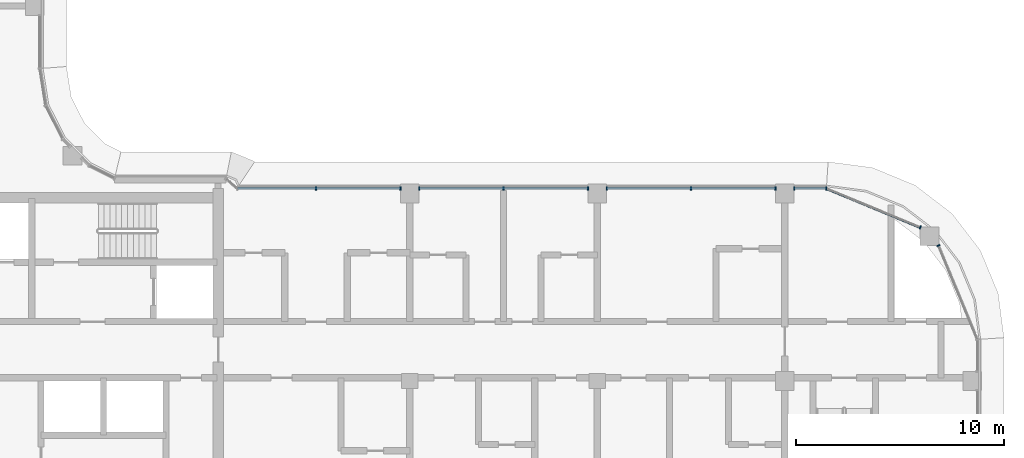
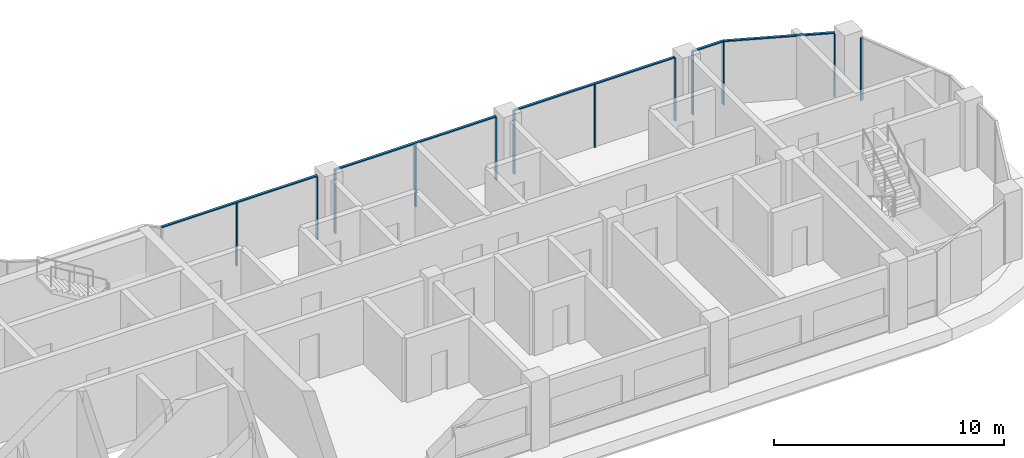
# One storey, part 4 of 20: 17 members, 6 elements without a shape of their own.
"""IFC4 building model written with IfcOpenShell, lengths in metres."""

import ifcopenshell
import ifcopenshell.guid

model = None  # the IFC model being written
_history = None  # IfcOwnerHistory: only IFC2X3 demands one
_inside = {}  # id of a spatial element -> (the spatial element, [elements in it])
_under = {}  # id of a project, library or spatial element -> (it, [spatial elements below it])
_declared = {}  # id of a project -> (the project, [libraries it declares])
_typed = {}  # id of a type object -> (the type object, [elements of that type])
_made_of = {}  # id of a material, layer set ... -> (it, [elements and type objects made of it])


def new_model(schema):
    """Start an empty IFC model of exactly this schema.

    Asked for "IFC4X3", IfcOpenShell would pick the latest addendum, in which some entities
    have other attributes; the version numbers below select the first issue.
    IFC2X3 requires an IfcOwnerHistory on every rooted entity: one is made here for all.
    """
    global model, _history
    if schema == "IFC4X3":
        model = ifcopenshell.file(schema_version=(4, 3, 0, 0))
    else:
        model = ifcopenshell.file(schema=schema)
    _inside.clear()
    _under.clear()
    _declared.clear()
    _typed.clear()
    _made_of.clear()
    _history = None
    if model.schema == "IFC2X3":
        org = make("IfcOrganization", Name="unknown")
        user = make(
            "IfcPersonAndOrganization",
            ThePerson=make("IfcPerson", FamilyName="unknown"),
            TheOrganization=org,
        )
        app = make(
            "IfcApplication",
            ApplicationDeveloper=org,
            Version="unknown",
            ApplicationFullName="unknown",
            ApplicationIdentifier="unknown",
        )
        _history = make(
            "IfcOwnerHistory",
            OwningUser=user,
            OwningApplication=app,
            ChangeAction="ADDED",
            CreationDate=0,
        )
    return model


def make(cls, **values):
    """One entity of the class cls with the attributes given. An attribute that is None is left unset."""
    return model.create_entity(
        cls, **{name: value for name, value in values.items() if value is not None}
    )


def rooted(cls, **values):
    """An entity with a GlobalId (a new one), such as an element, a storey or a relation."""
    return make(cls, GlobalId=ifcopenshell.guid.new(), OwnerHistory=_history, **values)


def si_unit(unit_type, name, prefix=None):
    """IfcSIUnit, for example si_unit("LENGTHUNIT", "METRE", prefix="MILLI")."""
    return make("IfcSIUnit", UnitType=unit_type, Prefix=prefix, Name=name)


def assignment(units):
    """IfcUnitAssignment: the units of a project."""
    return None if units is None else make("IfcUnitAssignment", Units=units)


def point(xyz):
    """IfcCartesianPoint."""
    return None if xyz is None else make("IfcCartesianPoint", Coordinates=xyz)


def direction(xyz):
    """IfcDirection."""
    return None if xyz is None else make("IfcDirection", DirectionRatios=xyz)


def frame(location, z_axis=None, x_axis=None):
    """IfcAxis2Placement3D, a coordinate frame: its origin and axes. An axis left out is left unset."""
    return make(
        "IfcAxis2Placement3D",
        Location=point(location),
        Axis=direction(z_axis),
        RefDirection=direction(x_axis),
    )


def frame_2d(location, x_axis=None):
    """IfcAxis2Placement2D, a coordinate frame in the plane: its origin and x axis."""
    return make(
        "IfcAxis2Placement2D", Location=point(location), RefDirection=direction(x_axis)
    )


def origin():
    """The frame at (0, 0, 0) with its axes left unset."""
    return frame((0.0, 0.0, 0.0))


def origin_2d():
    """The frame at (0, 0) in the plane with its x axis left unset."""
    return frame_2d((0.0, 0.0))


def place(relative_to, where):
    """IfcLocalPlacement: puts the frame where relative to a parent placement (None: the world)."""
    return make(
        "IfcLocalPlacement", PlacementRelTo=relative_to, RelativePlacement=where
    )


def context(
    kind, dimensions, precision=None, world=None, true_north=None, identifier=None
):
    """IfcGeometricRepresentationContext, for example the 3D "Model" context."""
    return make(
        "IfcGeometricRepresentationContext",
        ContextIdentifier=identifier,
        ContextType=kind,
        CoordinateSpaceDimension=dimensions,
        Precision=precision,
        WorldCoordinateSystem=world,
        TrueNorth=true_north,
    )


def subcontext(parent, identifier, kind, view, scale=None):
    """IfcGeometricRepresentationSubContext, for example "Body" below "Model"."""
    return make(
        "IfcGeometricRepresentationSubContext",
        ContextIdentifier=identifier,
        ContextType=kind,
        ParentContext=parent,
        TargetScale=scale,
        TargetView=view,
    )


def project(units=None, contexts=None):
    """IfcProject with its units and contexts."""
    return rooted(
        "IfcProject",
        Name="project",
        RepresentationContexts=contexts,
        UnitsInContext=assignment(units),
    )


def spatial(cls, under=None, at=None, **own):
    """A site, building, storey or space (cls), placed at a placement, below another one or the project."""
    s = rooted(cls, ObjectPlacement=at, **own)
    if under is not None:
        _under.setdefault(under.id(), (under, []))[1].append(s)
    return s


def profile(cls, at=None, kind="AREA", **sizes):
    """A parametric profile (cls). Its sizes go by their IFC names, for example OverallWidth=200.0."""
    return make(cls, ProfileType=kind, Position=at, **sizes)


def rectangle(**sizes):
    """IfcRectangleProfileDef."""
    return profile("IfcRectangleProfileDef", **sizes)


def extrude(swept, where, along, depth):
    """IfcExtrudedAreaSolid: the profile swept, set in the frame where, extruded along a direction by depth."""
    return make(
        "IfcExtrudedAreaSolid",
        SweptArea=swept,
        Position=where,
        ExtrudedDirection=direction(along),
        Depth=depth,
    )


def shape(context_of_items, identifier, shape_type, items):
    """IfcShapeRepresentation: the items that make up one representation, for example the "Body"."""
    return make(
        "IfcShapeRepresentation",
        ContextOfItems=context_of_items,
        RepresentationIdentifier=identifier,
        RepresentationType=shape_type,
        Items=items,
    )


def material(Name=None, Category=None):
    """IfcMaterial."""
    return make("IfcMaterial", Name=Name, Category=Category)


def material_profile(
    of_material, cross_section, Name=None, Category=None, Priority=None
):
    """IfcMaterialProfile: a cross section and its material."""
    return make(
        "IfcMaterialProfile",
        Name=Name,
        Material=of_material,
        Profile=cross_section,
        Priority=Priority,
        Category=Category,
    )


def profile_set(profiles, Name=None, composite=None):
    """IfcMaterialProfileSet."""
    return make(
        "IfcMaterialProfileSet",
        Name=Name,
        MaterialProfiles=profiles,
        CompositeProfile=composite,
    )


def made_of(thing, what):
    """Note that an element or type object is made of a material, layer set ...; save() writes the relation."""
    if what is not None:
        _made_of.setdefault(what.id(), (what, []))[1].append(thing)
    return thing


def type_object(cls, material=None, **own):
    """A type object (cls), such as IfcWallType, which elements share."""
    return made_of(rooted(cls, **own), material)


def element(
    cls,
    number,
    at=None,
    inside=None,
    cuts=None,
    type_object=None,
    material=None,
    context=None,
    identifier="Body",
    shape_type=None,
    held_by="IfcProductDefinitionShape",
    body=None,
    shapes=None,
    **own,
):
    """One element of the class cls, such as IfcWall. Its Tag is "e" and its number.

    at: its placement. inside: the storey or other place that contains it. cuts: it is an
    opening in that element (IfcRelVoidsElement). A single representation is given by context,
    identifier, shape_type and body (its items); several are given by shapes. held_by: the class
    of the entity that holds the representations. save() writes the other relations.
    """
    e = rooted(cls, Tag="e%d" % number, ObjectPlacement=at, **own)
    if body is not None:
        shapes = [shape(context, identifier, shape_type, body)]
    if shapes is not None:
        e.Representation = make(held_by, Representations=shapes)
    if inside is not None:
        _inside.setdefault(inside.id(), (inside, []))[1].append(e)
    if cuts is not None:
        rooted(
            "IfcRelVoidsElement", RelatingBuildingElement=cuts, RelatedOpeningElement=e
        )
    if type_object is not None:
        _typed.setdefault(type_object.id(), (type_object, []))[1].append(e)
    return made_of(e, material)


def aggregate(whole, parts):
    """IfcRelAggregates: a whole, such as a stair, and the parts it consists of."""
    return rooted("IfcRelAggregates", RelatingObject=whole, RelatedObjects=parts)


def save(model, path):
    """Write the relations noted so far, then the file.

    IfcRelAggregates (storeys below a building ...), IfcRelContainedInSpatialStructure (elements
    in a storey), IfcRelDefinesByType, IfcRelAssociatesMaterial and IfcRelDeclares: one each for
    every whole, place, type object, material and project.
    """
    for whole, parts in _under.values():
        aggregate(whole, parts)
    for where, things in _inside.values():
        rooted(
            "IfcRelContainedInSpatialStructure",
            RelatedElements=things,
            RelatingStructure=where,
        )
    for kind, things in _typed.values():
        rooted("IfcRelDefinesByType", RelatedObjects=things, RelatingType=kind)
    for what, things in _made_of.values():
        rooted("IfcRelAssociatesMaterial", RelatedObjects=things, RelatingMaterial=what)
    for by, libraries in _declared.values():
        rooted("IfcRelDeclares", RelatingContext=by, RelatedDefinitions=libraries)
    model.write(path)


model = new_model("IFC4")

# Units and contexts
model_context = context("Model", 3, precision=1e-05, world=origin(), true_north=direction((0.0, 1.0)))
body_context = subcontext(model_context, "Body", "Model", "MODEL_VIEW")
ifc_project = project(units=[si_unit("LENGTHUNIT", "METRE"), si_unit("AREAUNIT", "SQUARE_METRE"), si_unit("VOLUMEUNIT", "CUBIC_METRE"), si_unit("PLANEANGLEUNIT", "RADIAN"), si_unit("MASSUNIT", "GRAM", prefix="KILO")], contexts=[model_context])

# Site, building, storey
site_placement = place(None, origin())
site = spatial("IfcSite", under=ifc_project, at=site_placement, CompositionType="ELEMENT")
building_placement = place(site_placement, origin())
building = spatial("IfcBuilding", under=site, at=building_placement, Name="Ogive Portal Towers", CompositionType="ELEMENT")
storey_placement = place(building_placement, frame((0.0, 0.0, 214.300048828125)))
storey = spatial("IfcBuildingStorey", under=building, at=storey_placement, Name="L53", CompositionType="ELEMENT", Elevation=214.300048828125)

# Curtain wall, members
ifc_material_1 = material(Name="Glass, clear low-iron insulated glazing", Category="glass")
curtain_wall_type = type_object("IfcCurtainWallType", Name="CW FRONT RIBBON 4500", PredefinedType="NOTDEFINED", material=ifc_material_1)
curtain_wall_1_placement = place(storey_placement, origin())
curtain_wall_1 = element("IfcCurtainWall", 1, at=curtain_wall_1_placement, inside=storey, type_object=curtain_wall_type, Name="A:L53:f26:cw0~0", PredefinedType="NOTDEFINED")
ifc_material_2 = material(Name="Aluminium 6063 anodised", Category="aluminium")
ifc_material_profile_1 = material_profile(ifc_material_2, rectangle(XDim=0.159912109375, YDim=0.06005859375, at=origin_2d()), Name="AL 60x160")
ifc_profile_set_1 = profile_set([ifc_material_profile_1], Name="Aluminium 6063 anodised")
member_type_1 = type_object("IfcMemberType", Name="CW MULLION 60x160", PredefinedType="MULLION", material=ifc_profile_set_1)
member_1_placement = place(storey_placement, frame((87.484130859375, 39.739990234375, 0.0), z_axis=(0.0, 0.0, 1.0), x_axis=(0.0, -1.0, 0.0)))
member_1 = element("IfcMember", 2, at=member_1_placement, type_object=member_type_1, Name="mullion", PredefinedType="MULLION", context=body_context, shape_type="SweptSolid", body=[
    extrude(rectangle(XDim=0.159912109375, YDim=0.06005859375, at=origin_2d()), origin(), (0.0, 0.0, 1.0), 3.33984375),
])
member_2_placement = place(storey_placement, frame((85.949951171875, 39.739990234375, 0.0), z_axis=(0.0, 0.0, 1.0), x_axis=(0.0, -1.0, 0.0)))
member_2 = element("IfcMember", 3, at=member_2_placement, type_object=member_type_1, Name="mullion", PredefinedType="MULLION", context=body_context, shape_type="SweptSolid", body=[
    extrude(rectangle(XDim=0.159912109375, YDim=0.06005859375, at=origin_2d()), origin(), (0.0, 0.0, 1.0), 3.33984375),
])

curtain_wall_2_placement = place(storey_placement, origin())
curtain_wall_2 = element("IfcCurtainWall", 4, at=curtain_wall_2_placement, inside=storey, type_object=curtain_wall_type, Name="A:L53:f26:cw0~1", PredefinedType="NOTDEFINED")
member_3_placement = place(storey_placement, frame((85.050048828125, 39.739990234375, 0.0), z_axis=(0.0, 0.0, 1.0), x_axis=(0.0, -1.0, 0.0)))
member_3 = element("IfcMember", 5, at=member_3_placement, type_object=member_type_1, Name="mullion", PredefinedType="MULLION", context=body_context, shape_type="SweptSolid", body=[
    extrude(rectangle(XDim=0.159912109375, YDim=0.06005859375, at=origin_2d()), origin(), (0.0, 0.0, 1.0), 3.33984375),
])
member_4_placement = place(storey_placement, frame((81.0, 39.739990234375, 0.0), z_axis=(0.0, 0.0, 1.0), x_axis=(0.0, -1.0, 0.0)))
member_4 = element("IfcMember", 6, at=member_4_placement, type_object=member_type_1, Name="mullion", PredefinedType="MULLION", context=body_context, shape_type="SweptSolid", body=[
    extrude(rectangle(XDim=0.159912109375, YDim=0.06005859375, at=origin_2d()), origin(), (0.0, 0.0, 1.0), 3.33984375),
])
member_5_placement = place(storey_placement, frame((76.949951171875, 39.739990234375, 0.0), z_axis=(0.0, 0.0, 1.0), x_axis=(0.0, -1.0, 0.0)))
member_5 = element("IfcMember", 7, at=member_5_placement, type_object=member_type_1, Name="mullion", PredefinedType="MULLION", context=body_context, shape_type="SweptSolid", body=[
    extrude(rectangle(XDim=0.159912109375, YDim=0.06005859375, at=origin_2d()), origin(), (0.0, 0.0, 1.0), 3.33984375),
])

curtain_wall_3_placement = place(storey_placement, origin())
curtain_wall_3 = element("IfcCurtainWall", 8, at=curtain_wall_3_placement, inside=storey, type_object=curtain_wall_type, Name="A:L53:f26:cw0~2", PredefinedType="NOTDEFINED")
member_6_placement = place(storey_placement, frame((76.050048828125, 39.739990234375, 0.0), z_axis=(0.0, 0.0, 1.0), x_axis=(0.0, -1.0, 0.0)))
member_6 = element("IfcMember", 9, at=member_6_placement, type_object=member_type_1, Name="mullion", PredefinedType="MULLION", context=body_context, shape_type="SweptSolid", body=[
    extrude(rectangle(XDim=0.159912109375, YDim=0.06005859375, at=origin_2d()), origin(), (0.0, 0.0, 1.0), 3.33984375),
])
member_7_placement = place(storey_placement, frame((72.0, 39.739990234375, 0.0), z_axis=(0.0, 0.0, 1.0), x_axis=(0.0, -1.0, 0.0)))
member_7 = element("IfcMember", 10, at=member_7_placement, type_object=member_type_1, Name="mullion", PredefinedType="MULLION", context=body_context, shape_type="SweptSolid", body=[
    extrude(rectangle(XDim=0.159912109375, YDim=0.06005859375, at=origin_2d()), origin(), (0.0, 0.0, 1.0), 3.33984375),
])
member_8_placement = place(storey_placement, frame((67.949951171875, 39.739990234375, 0.0), z_axis=(0.0, 0.0, 1.0), x_axis=(0.0, -1.0, 0.0)))
member_8 = element("IfcMember", 11, at=member_8_placement, type_object=member_type_1, Name="mullion", PredefinedType="MULLION", context=body_context, shape_type="SweptSolid", body=[
    extrude(rectangle(XDim=0.159912109375, YDim=0.06005859375, at=origin_2d()), origin(), (0.0, 0.0, 1.0), 3.33984375),
])

curtain_wall_4_placement = place(storey_placement, origin())
curtain_wall_4 = element("IfcCurtainWall", 12, at=curtain_wall_4_placement, inside=storey, type_object=curtain_wall_type, Name="A:L53:f26:cw0~3", PredefinedType="NOTDEFINED")
member_9_placement = place(storey_placement, frame((67.050048828125, 39.739990234375, 0.0), z_axis=(0.0, 0.0, 1.0), x_axis=(0.0, -1.0, 0.0)))
member_9 = element("IfcMember", 13, at=member_9_placement, type_object=member_type_1, Name="mullion", PredefinedType="MULLION", context=body_context, shape_type="SweptSolid", body=[
    extrude(rectangle(XDim=0.159912109375, YDim=0.06005859375, at=origin_2d()), origin(), (0.0, 0.0, 1.0), 3.33984375),
])
member_10_placement = place(storey_placement, frame((63.0, 39.739990234375, 0.0), z_axis=(0.0, 0.0, 1.0), x_axis=(0.0, -1.0, 0.0)))
member_10 = element("IfcMember", 14, at=member_10_placement, type_object=member_type_1, Name="mullion", PredefinedType="MULLION", context=body_context, shape_type="SweptSolid", body=[
    extrude(rectangle(XDim=0.159912109375, YDim=0.06005859375, at=origin_2d()), origin(), (0.0, 0.0, 1.0), 3.33984375),
])

# Curtain wall, member
curtain_wall_5_placement = place(storey_placement, origin())
curtain_wall_5 = element("IfcCurtainWall", 15, at=curtain_wall_5_placement, inside=storey, type_object=curtain_wall_type, Name="A:L53:f24:cwa~0", PredefinedType="NOTDEFINED")
member_11_placement = place(storey_placement, frame((92.869384765625, 37.0, 0.0), z_axis=(0.0, 0.0, 1.0), x_axis=(-0.923879532511, -0.382683432365, 0.0)))
member_11 = element("IfcMember", 16, at=member_11_placement, type_object=member_type_1, Name="mullion", PredefinedType="MULLION", context=body_context, shape_type="SweptSolid", body=[
    extrude(rectangle(XDim=0.159912109375, YDim=0.06005859375, at=origin_2d()), origin(), (0.0, 0.0, 1.0), 3.33984375),
])
aggregate(curtain_wall_5, [member_11])

curtain_wall_6_placement = place(storey_placement, origin())
curtain_wall_6 = element("IfcCurtainWall", 17, at=curtain_wall_6_placement, inside=storey, type_object=curtain_wall_type, Name="A:L53:f24:cwa~1", PredefinedType="NOTDEFINED")
member_12_placement = place(storey_placement, frame((92.0, 37.869384765625, 0.0), z_axis=(0.0, 0.0, 1.0), x_axis=(-0.382683432365, -0.923879532511, 0.0)))
member_12 = element("IfcMember", 18, at=member_12_placement, type_object=member_type_1, Name="mullion", PredefinedType="MULLION", context=body_context, shape_type="SweptSolid", body=[
    extrude(rectangle(XDim=0.159912109375, YDim=0.06005859375, at=origin_2d()), origin(), (0.0, 0.0, 1.0), 3.33984375),
])

# Member
ifc_material_profile_2 = material_profile(ifc_material_2, rectangle(XDim=0.1201171875, YDim=0.06005859375, at=origin_2d()), Name="AL 120x60")
ifc_profile_set_2 = profile_set([ifc_material_profile_2], Name="Aluminium 6063 anodised")
member_type_2 = type_object("IfcMemberType", Name="CW TRANSOM 60x120", PredefinedType="USERDEFINED", material=ifc_profile_set_2)
member_13_placement = place(storey_placement, frame((87.484130859375, 39.739990234375, 3.369873046875), z_axis=(-1.0, 0.0, 0.0), x_axis=(0.0, -1.0, 0.0)))
member_13 = element("IfcMember", 19, at=member_13_placement, type_object=member_type_2, Name="transom", ObjectType="TRANSOM", PredefinedType="USERDEFINED", context=body_context, shape_type="SweptSolid", body=[
    extrude(rectangle(XDim=0.1201171875, YDim=0.06005859375, at=origin_2d()), origin(), (0.0, 0.0, 1.0), 1.5341796875),
])

aggregate(curtain_wall_1, [member_13, member_1, member_2])

member_14_placement = place(storey_placement, frame((85.050048828125, 39.739990234375, 3.369873046875), z_axis=(-1.0, 0.0, 0.0), x_axis=(0.0, -1.0, 0.0)))
member_14 = element("IfcMember", 20, at=member_14_placement, type_object=member_type_2, Name="transom", ObjectType="TRANSOM", PredefinedType="USERDEFINED", context=body_context, shape_type="SweptSolid", body=[
    extrude(rectangle(XDim=0.1201171875, YDim=0.06005859375, at=origin_2d()), origin(), (0.0, 0.0, 1.0), 8.10009765625),
])

aggregate(curtain_wall_2, [member_14, member_3, member_4, member_5])

member_15_placement = place(storey_placement, frame((76.050048828125, 39.739990234375, 3.369873046875), z_axis=(-1.0, 0.0, 0.0), x_axis=(0.0, -1.0, 0.0)))
member_15 = element("IfcMember", 21, at=member_15_placement, type_object=member_type_2, Name="transom", ObjectType="TRANSOM", PredefinedType="USERDEFINED", context=body_context, shape_type="SweptSolid", body=[
    extrude(rectangle(XDim=0.1201171875, YDim=0.06005859375, at=origin_2d()), origin(), (0.0, 0.0, 1.0), 8.10009765625),
])

aggregate(curtain_wall_3, [member_15, member_6, member_7, member_8])

member_16_placement = place(storey_placement, frame((67.050048828125, 39.739990234375, 3.369873046875), z_axis=(-1.0, 0.0, 0.0), x_axis=(0.0, -1.0, 0.0)))
member_16 = element("IfcMember", 22, at=member_16_placement, type_object=member_type_2, Name="transom", ObjectType="TRANSOM", PredefinedType="USERDEFINED", context=body_context, shape_type="SweptSolid", body=[
    extrude(rectangle(XDim=0.1201171875, YDim=0.06005859375, at=origin_2d()), origin(), (0.0, 0.0, 1.0), 7.829833984375),
])

aggregate(curtain_wall_4, [member_16, member_9, member_10])

member_17_placement = place(storey_placement, frame((92.0, 37.869384765625, 3.369873046875), z_axis=(-0.923874380641, 0.382695869842, 0.0), x_axis=(-0.382695869842, -0.923874380641, 0.0)))
member_17 = element("IfcMember", 23, at=member_17_placement, type_object=member_type_2, Name="transom", ObjectType="TRANSOM", PredefinedType="USERDEFINED", context=body_context, shape_type="SweptSolid", body=[
    extrude(rectangle(XDim=0.1201171875, YDim=0.06005859375, at=origin_2d()), origin(), (0.0, 0.0, 1.0), 4.887939453125),
])

aggregate(curtain_wall_6, [member_17, member_12])

save(model, "model.ifc")
